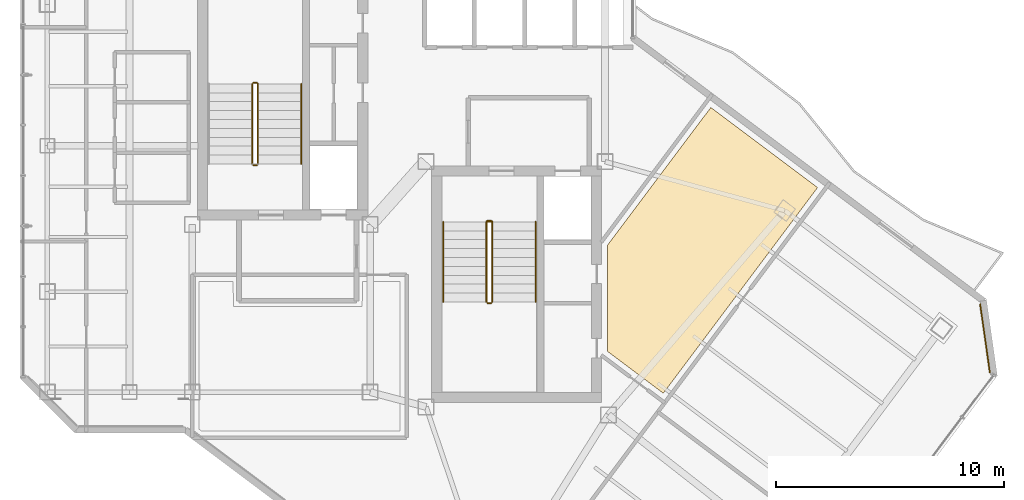
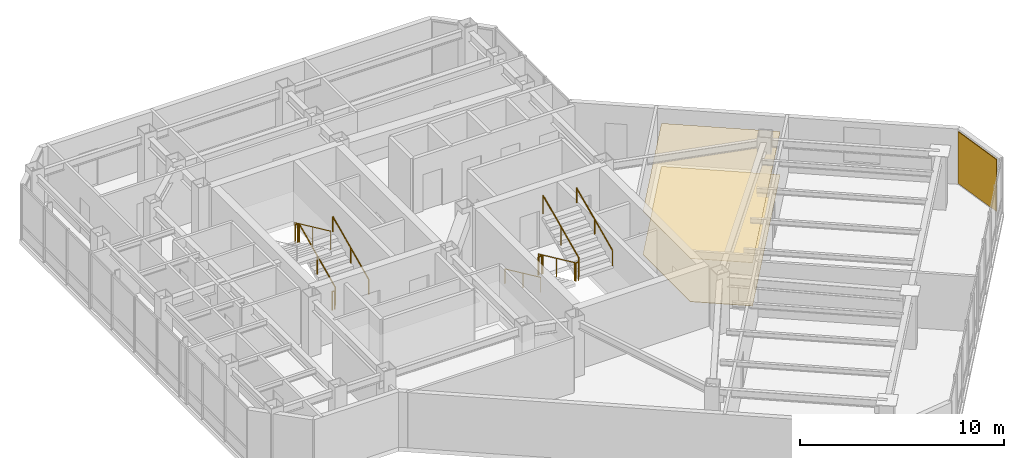
# One storey, part 23 of 25: 12 railings, 3 coverings.
"""IFC4 building model written with IfcOpenShell, lengths in metres."""

from ifc_helpers import new_model, si_unit, direction, frame, origin, origin_2d, place, context, subcontext, project, spatial, polyline, rectangle, circle, outline, extrude, material, layer, layer_set, type_object, element, save


model = new_model("IFC4")

# Units and contexts
model_context = context("Model", 3, precision=1e-05, world=origin(), true_north=direction((0.0, 1.0)))
body_context = subcontext(model_context, "Body", "Model", "MODEL_VIEW")
ifc_project = project(units=[si_unit("LENGTHUNIT", "METRE"), si_unit("AREAUNIT", "SQUARE_METRE"), si_unit("VOLUMEUNIT", "CUBIC_METRE"), si_unit("PLANEANGLEUNIT", "RADIAN"), si_unit("MASSUNIT", "GRAM", prefix="KILO")], contexts=[model_context])

# Site, building, storey
site_placement = place(None, origin())
site = spatial("IfcSite", under=ifc_project, at=site_placement, CompositionType="ELEMENT")
building_placement = place(site_placement, origin())
building = spatial("IfcBuilding", under=site, at=building_placement, Name="Hatsunagi Terrace Concourse", CompositionType="ELEMENT")
storey_placement = place(building_placement, frame((0.0, 0.0, 231.14990234375)))
storey = spatial("IfcBuildingStorey", under=building, at=storey_placement, Name="L61", CompositionType="ELEMENT", Elevation=231.14990234375)

# Coverings
ifc_material_1 = material(Name="Acoustic mineral board", Category="gypsum")
ifc_layer_1 = layer(ifc_material_1, 0.02001953125)
ifc_layer_set_1 = layer_set([ifc_layer_1], Name="AcousticMineralCeiling_20")
covering_type_1 = type_object("IfcCoveringType", Name="AcousticMineralCeiling_20", PredefinedType="CEILING", material=ifc_layer_set_1)
covering_1_placement = place(storey_placement, frame((0.0, 0.0, 2.580078125)))
element("IfcCovering", 1, at=covering_1_placement, inside=storey, type_object=covering_type_1, Name="Suspended Ceiling L61-1", PredefinedType="CEILING", context=body_context, shape_type="SweptSolid", body=[
    extrude(outline(polyline([(48.281982421875, 37.676025390625), (43.75, 31.634033203125), (43.75, 26.988037109375), (46.199951171875, 25.14990234375), (52.9619140625, 34.166015625), (48.281982421875, 37.676025390625)])), origin(), (0.0, 0.0, 1.0), 0.02001953125),
])
ifc_material_2 = material(Name="Granite stone paving", Category="masonry")
ifc_layer_2 = layer(ifc_material_2, 0.02490234375)
ifc_layer_set_2 = layer_set([ifc_layer_2], Name="GraniteStoneFlooring_25")
covering_type_2 = type_object("IfcCoveringType", Name="GraniteStoneFlooring_25", PredefinedType="FLOORING", material=ifc_layer_set_2)
covering_2_placement = place(storey_placement, origin())
element("IfcCovering", 2, at=covering_2_placement, inside=storey, type_object=covering_type_2, Name="Finished Flooring L61-1", PredefinedType="FLOORING", context=body_context, shape_type="SweptSolid", body=[
    extrude(outline(polyline([(48.281982421875, 37.676025390625), (43.75, 31.634033203125), (43.75, 26.988037109375), (46.199951171875, 25.14990234375), (52.9619140625, 34.166015625), (48.281982421875, 37.676025390625)])), origin(), (0.0, 0.0, 1.0), 0.025146484375),
])

# Railings
ifc_material_3 = material(Name="Stainless steel", Category="steel")
ifc_layer_3 = layer(ifc_material_3, 0.044921875)
ifc_layer_set_3 = layer_set([ifc_layer_3], Name="StairPitchHandrail_Tower2000")
railing_type_1 = type_object("IfcRailingType", Name="StairPitchHandrail_Tower2000", PredefinedType="HANDRAIL", material=ifc_layer_set_3)
railing_1_placement = place(storey_placement, frame((30.330078125, 35.199951171875, 0.18017578125)))
element("IfcRailing", 3, at=railing_1_placement, inside=storey, type_object=railing_type_1, Name="L61 ST-A stair handrail 1", PredefinedType="HANDRAIL", context=body_context, shape_type="SweptSolid", body=[
    extrude(circle(Radius=0.02392578125, at=origin_2d()), frame((0.0, 0.0, 0.8759765625), z_axis=(0.0, 0.907972323039, 0.419030142823), x_axis=(-1.0, 0.0, 0.0)), (0.0, 0.0, 1.0), 3.86572265625),
    extrude(circle(Radius=0.02099609375, at=origin_2d()), origin(), (0.0, 0.0, 1.0), 0.851806640625),
    extrude(circle(Radius=0.02099609375, at=origin_2d()), frame((0.0, 1.7548828125, 0.81005859375)), (0.0, 0.0, 1.0), 0.851806640625),
    extrude(circle(Radius=0.02099609375, at=origin_2d()), frame((0.0, 3.510009765625, 1.619873046875)), (0.0, 0.0, 1.0), 0.851806640625),
])
railing_2_placement = place(storey_placement, frame((36.550048828125, 32.659912109375, 0.18017578125)))
element("IfcRailing", 4, at=railing_2_placement, inside=storey, type_object=railing_type_1, Name="L61 ST-B stair handrail 1", PredefinedType="HANDRAIL", context=body_context, shape_type="SweptSolid", body=[
    extrude(circle(Radius=0.02392578125, at=origin_2d()), frame((0.0, 0.0, 0.8759765625), z_axis=(0.0, -0.907972323039, 0.419030142823), x_axis=(1.0, 0.0, 0.0)), (0.0, 0.0, 1.0), 3.86572265625),
    extrude(circle(Radius=0.02099609375, at=origin_2d()), origin(), (0.0, 0.0, 1.0), 0.851806640625),
    extrude(circle(Radius=0.02099609375, at=origin_2d()), frame((0.0, -1.7548828125, 0.81005859375)), (0.0, 0.0, 1.0), 0.851806640625),
    extrude(circle(Radius=0.02099609375, at=origin_2d()), frame((0.0, -3.510009765625, 1.619873046875)), (0.0, 0.0, 1.0), 0.851806640625),
])
railing_3_placement = place(storey_placement, frame((40.60009765625, 29.14990234375, 1.97998046875)))
element("IfcRailing", 5, at=railing_3_placement, inside=storey, type_object=railing_type_1, Name="L61 ST-B stair handrail 2", PredefinedType="HANDRAIL", context=body_context, shape_type="SweptSolid", body=[
    extrude(circle(Radius=0.02392578125, at=origin_2d()), frame((0.0, 0.0, 0.8759765625), z_axis=(0.0, 0.907948293929, 0.419082206198), x_axis=(-1.0, 0.0, 0.0)), (0.0, 0.0, 1.0), 3.865966796875),
    extrude(circle(Radius=0.02099609375, at=origin_2d()), origin(), (0.0, 0.0, 1.0), 0.851806640625),
    extrude(circle(Radius=0.02099609375, at=origin_2d()), frame((0.0, 1.7548828125, 0.81005859375)), (0.0, 0.0, 1.0), 0.851806640625),
    extrude(circle(Radius=0.02099609375, at=origin_2d()), frame((0.0, 3.510009765625, 1.6201171875)), (0.0, 0.0, 1.0), 0.851806640625),
])
ifc_material_4 = material(Name="Stainless steel", Category="steel")
ifc_layer_4 = layer(ifc_material_4, 0.06005859375)
ifc_layer_set_4 = layer_set([ifc_layer_4], Name="StairWellGuard_Tower2000")
railing_type_2 = type_object("IfcRailingType", Name="StairWellGuard_Tower2000", PredefinedType="BALUSTRADE", material=ifc_layer_set_4)
railing_4_placement = place(storey_placement, frame((28.429931640625, 35.199951171875, 0.18017578125)))
element("IfcRailing", 6, at=railing_4_placement, inside=storey, type_object=railing_type_2, Name="L61 ST-A stair guard 1", PredefinedType="BALUSTRADE", context=body_context, shape_type="SweptSolid", body=[
    extrude(circle(Radius=0.02392578125, at=origin_2d()), frame((0.0, 0.0, 1.09619140625), z_axis=(0.0, 0.907972323039, 0.419030142823), x_axis=(-1.0, 0.0, 0.0)), (0.0, 0.0, 1.0), 3.86572265625),
    extrude(circle(Radius=0.02099609375, at=origin_2d()), origin(), (0.0, 0.0, 1.0), 1.072021484375),
    extrude(circle(Radius=0.02099609375, at=origin_2d()), frame((0.0, 1.7548828125, 0.81005859375)), (0.0, 0.0, 1.0), 1.072021484375),
    extrude(circle(Radius=0.02099609375, at=origin_2d()), frame((0.0, 3.510009765625, 1.619873046875)), (0.0, 0.0, 1.0), 1.072021484375),
])
railing_5_placement = place(storey_placement, frame((28.3798828125, 38.760009765625, 1.800048828125)))
element("IfcRailing", 7, at=railing_5_placement, inside=storey, type_object=railing_type_2, Name="L61 ST-A stair guard 2", PredefinedType="BALUSTRADE", context=body_context, shape_type="SweptSolid", body=[
    extrude(circle(Radius=0.02392578125, at=origin_2d()), frame((0.0, 0.0, 1.09619140625), z_axis=(-1.0, 0.0, 0.0), x_axis=(0.0, -1.0, 0.0)), (0.0, 0.0, 1.0), 0.14990234375),
    extrude(circle(Radius=0.02099609375, at=origin_2d()), origin(), (0.0, 0.0, 1.0), 1.072021484375),
    extrude(circle(Radius=0.02099609375, at=origin_2d()), frame((-0.14990234375, 0.0, 0.0)), (0.0, 0.0, 1.0), 1.072021484375),
])
railing_6_placement = place(storey_placement, frame((28.179931640625, 38.7099609375, 1.97998046875)))
element("IfcRailing", 8, at=railing_6_placement, inside=storey, type_object=railing_type_2, Name="L61 ST-A stair guard 3", PredefinedType="BALUSTRADE", context=body_context, shape_type="SweptSolid", body=[
    extrude(circle(Radius=0.02392578125, at=origin_2d()), frame((0.0, 0.0, 1.09619140625), z_axis=(0.0, -0.907948293929, 0.419082206198), x_axis=(1.0, 0.0, 0.0)), (0.0, 0.0, 1.0), 3.865966796875),
    extrude(circle(Radius=0.02099609375, at=origin_2d()), origin(), (0.0, 0.0, 1.0), 1.072021484375),
    extrude(circle(Radius=0.02099609375, at=origin_2d()), frame((0.0, -1.7548828125, 0.81005859375)), (0.0, 0.0, 1.0), 1.072021484375),
    extrude(circle(Radius=0.02099609375, at=origin_2d()), frame((0.0, -3.510009765625, 1.6201171875)), (0.0, 0.0, 1.0), 1.072021484375),
])
railing_7_placement = place(storey_placement, frame((28.3798828125, 35.14990234375, 0.0)))
element("IfcRailing", 9, at=railing_7_placement, inside=storey, type_object=railing_type_2, Name="L61 ST-A stair guard 4", PredefinedType="BALUSTRADE", context=body_context, shape_type="SweptSolid", body=[
    extrude(circle(Radius=0.02392578125, at=origin_2d()), frame((0.0, 0.0, 1.09619140625), z_axis=(-1.0, 0.0, 0.0), x_axis=(0.0, -1.0, 0.0)), (0.0, 0.0, 1.0), 0.14990234375),
    extrude(circle(Radius=0.02099609375, at=origin_2d()), origin(), (0.0, 0.0, 1.0), 1.072021484375),
    extrude(circle(Radius=0.02099609375, at=origin_2d()), frame((-0.14990234375, 0.0, 0.0)), (0.0, 0.0, 1.0), 1.072021484375),
])
railing_8_placement = place(storey_placement, frame((38.449951171875, 32.659912109375, 0.18017578125)))
element("IfcRailing", 10, at=railing_8_placement, inside=storey, type_object=railing_type_2, Name="L61 ST-B stair guard 1", PredefinedType="BALUSTRADE", context=body_context, shape_type="SweptSolid", body=[
    extrude(circle(Radius=0.02392578125, at=origin_2d()), frame((0.0, 0.0, 1.09619140625), z_axis=(0.0, -0.907972323039, 0.419030142823), x_axis=(1.0, 0.0, 0.0)), (0.0, 0.0, 1.0), 3.86572265625),
    extrude(circle(Radius=0.02099609375, at=origin_2d()), origin(), (0.0, 0.0, 1.0), 1.072021484375),
    extrude(circle(Radius=0.02099609375, at=origin_2d()), frame((0.0, -1.7548828125, 0.81005859375)), (0.0, 0.0, 1.0), 1.072021484375),
    extrude(circle(Radius=0.02099609375, at=origin_2d()), frame((0.0, -3.510009765625, 1.619873046875)), (0.0, 0.0, 1.0), 1.072021484375),
])
railing_9_placement = place(storey_placement, frame((38.5, 29.10009765625, 1.800048828125)))
element("IfcRailing", 11, at=railing_9_placement, inside=storey, type_object=railing_type_2, Name="L61 ST-B stair guard 2", PredefinedType="BALUSTRADE", context=body_context, shape_type="SweptSolid", body=[
    extrude(circle(Radius=0.02392578125, at=origin_2d()), frame((0.0, 0.0, 1.09619140625), z_axis=(1.0, 0.0, 0.0), x_axis=(0.0, 1.0, 0.0)), (0.0, 0.0, 1.0), 0.14990234375),
    extrude(circle(Radius=0.02099609375, at=origin_2d()), origin(), (0.0, 0.0, 1.0), 1.072021484375),
    extrude(circle(Radius=0.02099609375, at=origin_2d()), frame((0.14990234375, 0.0, 0.0)), (0.0, 0.0, 1.0), 1.072021484375),
])
railing_10_placement = place(storey_placement, frame((38.699951171875, 29.14990234375, 1.97998046875)))
element("IfcRailing", 12, at=railing_10_placement, inside=storey, type_object=railing_type_2, Name="L61 ST-B stair guard 3", PredefinedType="BALUSTRADE", context=body_context, shape_type="SweptSolid", body=[
    extrude(circle(Radius=0.02392578125, at=origin_2d()), frame((0.0, 0.0, 1.09619140625), z_axis=(0.0, 0.907948293929, 0.419082206198), x_axis=(-1.0, 0.0, 0.0)), (0.0, 0.0, 1.0), 3.865966796875),
    extrude(circle(Radius=0.02099609375, at=origin_2d()), origin(), (0.0, 0.0, 1.0), 1.072021484375),
    extrude(circle(Radius=0.02099609375, at=origin_2d()), frame((0.0, 1.7548828125, 0.81005859375)), (0.0, 0.0, 1.0), 1.072021484375),
    extrude(circle(Radius=0.02099609375, at=origin_2d()), frame((0.0, 3.510009765625, 1.6201171875)), (0.0, 0.0, 1.0), 1.072021484375),
])
railing_11_placement = place(storey_placement, frame((38.5, 32.7099609375, 0.0)))
element("IfcRailing", 13, at=railing_11_placement, inside=storey, type_object=railing_type_2, Name="L61 ST-B stair guard 4", PredefinedType="BALUSTRADE", context=body_context, shape_type="SweptSolid", body=[
    extrude(circle(Radius=0.02392578125, at=origin_2d()), frame((0.0, 0.0, 1.09619140625), z_axis=(1.0, 0.0, 0.0), x_axis=(0.0, 1.0, 0.0)), (0.0, 0.0, 1.0), 0.14990234375),
    extrude(circle(Radius=0.02099609375, at=origin_2d()), origin(), (0.0, 0.0, 1.0), 1.072021484375),
    extrude(circle(Radius=0.02099609375, at=origin_2d()), frame((0.14990234375, 0.0, 0.0)), (0.0, 0.0, 1.0), 1.072021484375),
])
ifc_material_5 = material(Name="Stainless Steel SUS316 Post-and-Rail Guard", Category="steel")
ifc_layer_5 = layer(ifc_material_5, 0.080078125)
ifc_layer_set_5 = layer_set([ifc_layer_5], Name="TerracePlantedGuardRail_1200")
railing_type_3 = type_object("IfcRailingType", Name="TerracePlantedGuardRail_1200", PredefinedType="GUARDRAIL", material=ifc_layer_set_5)
railing_12_placement = place(storey_placement, frame((38.449951171875, 32.679931640625, 0.0)))
element("IfcRailing", 14, at=railing_12_placement, inside=storey, type_object=railing_type_3, Name="Stair ST-B Well Closure Guard L61", PredefinedType="GUARDRAIL", context=body_context, shape_type="SweptSolid", body=[
    extrude(circle(Radius=0.02392578125, at=origin_2d()), frame((0.0, 0.0, 1.09619140625), z_axis=(1.0, 0.0, 0.0), x_axis=(0.0, 1.0, 0.0)), (0.0, 0.0, 1.0), 0.25),
    extrude(circle(Radius=0.02099609375, at=origin_2d()), origin(), (0.0, 0.0, 1.0), 1.072021484375),
    extrude(circle(Radius=0.02099609375, at=origin_2d()), frame((0.25, 0.0, 0.0)), (0.0, 0.0, 1.0), 1.072021484375),
])

# Covering
ifc_material_6 = material(Name="Unglazed Warm Terracotta Rainscreen Tile", Category="masonry")
ifc_layer_6 = layer(ifc_material_6, 0.044921875)
ifc_layer_set_6 = layer_set([ifc_layer_6], Name="TerracottaRainscreenCladding_45")
covering_type_3 = type_object("IfcCoveringType", Name="TerracottaRainscreenCladding_45", PredefinedType="CLADDING", material=ifc_layer_set_6)
covering_3_placement = place(storey_placement, frame((60.301025390625, 27.55810546875, 0.10009765625), z_axis=(0.0, 0.0, 1.0), x_axis=(0.141250262458, -0.989973920543, 0.0)))
element("IfcCovering", 15, at=covering_3_placement, inside=storey, type_object=covering_type_3, Name="Terracotta Rainscreen Cladding L61-02", PredefinedType="CLADDING", context=body_context, shape_type="SweptSolid", body=[
    extrude(rectangle(XDim=3.0380859375, YDim=0.044921875, at=origin_2d()), origin(), (0.0, 0.0, 1.0), 3.10009765625),
])

save(model, "model.ifc")
